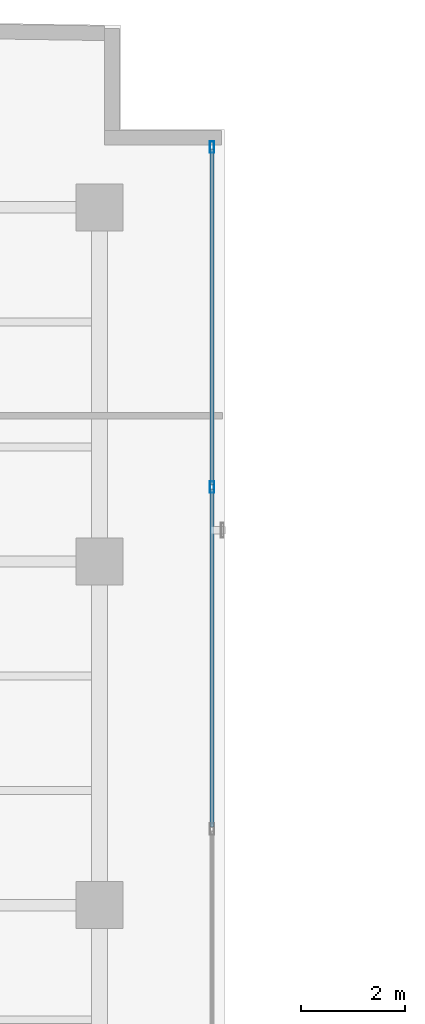
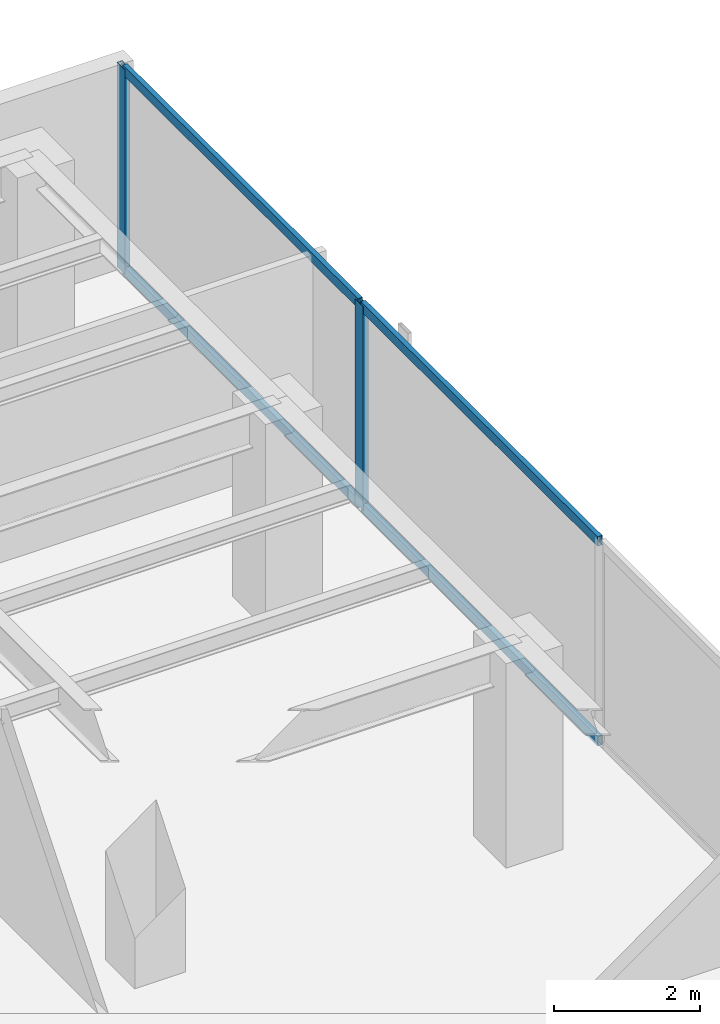
# One storey, part 14 of 23: 6 members, 1 element without a shape of its own.
"""IFC4 building model written with IfcOpenShell, lengths in metres."""

from ifc_helpers import new_model, si_unit, direction, frame, origin, origin_with_axes, origin_2d, place, context, subcontext, project, spatial, hollow_rectangle, extrude, source, transform, mapped, material, layer, layer_set, material_profile, profile_set, type_object, element, aggregate, save


model = new_model("IFC4")

# Units and contexts
model_context = context("Model", 3, precision=1e-05, world=origin(), true_north=direction((0.0, 1.0)))
body_context = subcontext(model_context, "Body", "Model", "MODEL_VIEW")
ifc_project = project(units=[si_unit("LENGTHUNIT", "METRE"), si_unit("AREAUNIT", "SQUARE_METRE"), si_unit("VOLUMEUNIT", "CUBIC_METRE"), si_unit("PLANEANGLEUNIT", "RADIAN"), si_unit("MASSUNIT", "GRAM", prefix="KILO")], contexts=[model_context])

# Site, building, storey
site_placement = place(None, origin())
site = spatial("IfcSite", under=ifc_project, at=site_placement, CompositionType="ELEMENT")
building_placement = place(site_placement, origin())
building = spatial("IfcBuilding", under=site, at=building_placement, Name="Kolvaren Waterfront Exchange", CompositionType="ELEMENT")
storey_placement = place(building_placement, frame((0.0, 0.0, 335.0)))
storey = spatial("IfcBuildingStorey", under=building, at=storey_placement, Name="L86", CompositionType="ELEMENT", Elevation=335.0)

# Curtain wall, members
ifc_material_1 = material(Name="Anodised bronze aluminium 6063-T6", Category="aluminium")
ifc_layer = layer(ifc_material_1, 0.219970703125, Name="Anodised bronze aluminium 6063-T6")
ifc_layer_set = layer_set([ifc_layer], Name="Anodised bronze aluminium 6063-T6")
curtain_wall_type = type_object("IfcCurtainWallType", Name="ARC-CW-SYS1", PredefinedType="USERDEFINED", material=ifc_layer_set)
curtain_wall_placement = place(storey_placement, origin())
curtain_wall = element("IfcCurtainWall", 1, at=curtain_wall_placement, inside=storey, type_object=curtain_wall_type, Name="L86 stick curtain wall CW1 (CW-L86-NE)", ObjectType="STICK CURTAIN WALL", PredefinedType="USERDEFINED")
ifc_material_2 = material(Name="Anodised aluminium 6063-T6", Category="aluminium")
ifc_material_profile_1 = material_profile(ifc_material_2, hollow_rectangle(XDim=0.080078125, YDim=0.219970703125, WallThickness=0.0048828125, at=origin_2d()), Name="ALU-MUL-220x80x5")
ifc_profile_set_1 = profile_set([ifc_material_profile_1], Name="Anodised aluminium 6063-T6")
member_type_1 = type_object("IfcMemberType", Name="ARC-CWM-220", PredefinedType="MULLION", material=ifc_profile_set_1)
shared_shape_1 = source(origin_with_axes(), body_context, "Body", "SweptSolid", [
    extrude(hollow_rectangle(XDim=0.080078125, YDim=0.219970703125, WallThickness=0.0048828125, at=origin_2d()), origin(), (0.0, 0.0, 1.0), 3.419921875),
])
member_1_placement = place(storey_placement, frame((20.9599609375, 39.22998046875, 0.0), z_axis=(0.0, 0.0, 1.0), x_axis=(-1.0, 0.0, 0.0)))
member_1 = element("IfcMember", 2, at=member_1_placement, type_object=member_type_1, Name="CW1 mullion 3", PredefinedType="MULLION", context=body_context, shape_type="MappedRepresentation", body=[
    mapped(shared_shape_1, transform((0.0, 0.0, 0.0), x_axis=(1.0, 0.0, 0.0), y_axis=(0.0, 1.0, 0.0), z_axis=(0.0, 0.0, 1.0), scale=1.0)),
])
member_2_placement = place(storey_placement, frame((20.9599609375, 45.760009765625, 0.0), z_axis=(0.0, 0.0, 1.0), x_axis=(-1.0, 0.0, 0.0)))
member_2 = element("IfcMember", 3, at=member_2_placement, type_object=member_type_1, Name="CW1 mullion 4", PredefinedType="MULLION", context=body_context, shape_type="MappedRepresentation", body=[
    mapped(shared_shape_1, transform((0.0, 0.0, 0.0), x_axis=(1.0, 0.0, 0.0), y_axis=(0.0, 1.0, 0.0), z_axis=(0.0, 0.0, 1.0), scale=1.0)),
])
ifc_material_profile_2 = material_profile(ifc_material_2, hollow_rectangle(XDim=0.074951171875, YDim=0.159912109375, WallThickness=0.00439453125, at=origin_2d()), Name="ALU-TRN-160x75x4.5")
ifc_profile_set_2 = profile_set([ifc_material_profile_2], Name="Anodised aluminium 6063-T6")
member_type_2 = type_object("IfcMemberType", Name="ARC-CWT-160", PredefinedType="USERDEFINED", material=ifc_profile_set_2)
shared_shape_2 = source(origin_with_axes(), body_context, "Body", "SweptSolid", [
    extrude(hollow_rectangle(XDim=0.074951171875, YDim=0.159912109375, WallThickness=0.00439453125, at=origin_2d()), origin(), (0.0, 0.0, 1.0), 6.489990234375),
])
member_3_placement = place(storey_placement, frame((20.9599609375, 32.699951171875, 0.03759765625), z_axis=(0.0, 1.0, 0.0), x_axis=(-1.0, 0.0, 0.0)))
member_3 = element("IfcMember", 4, at=member_3_placement, type_object=member_type_2, Name="CW1 transom 2.1", ObjectType="TRANSOM", PredefinedType="USERDEFINED", context=body_context, shape_type="MappedRepresentation", body=[
    mapped(shared_shape_2, transform((0.0, 0.0, 0.0), x_axis=(1.0, 0.0, 0.0), y_axis=(0.0, 1.0, 0.0), z_axis=(0.0, 0.0, 1.0), scale=1.0)),
])
member_4_placement = place(storey_placement, frame((20.9599609375, 32.699951171875, 3.382568359375), z_axis=(0.0, 1.0, 0.0), x_axis=(-1.0, 0.0, 0.0)))
member_4 = element("IfcMember", 5, at=member_4_placement, type_object=member_type_2, Name="CW1 transom 2.2", ObjectType="TRANSOM", PredefinedType="USERDEFINED", context=body_context, shape_type="MappedRepresentation", body=[
    mapped(shared_shape_2, transform((0.0, 0.0, 0.0), x_axis=(1.0, 0.0, 0.0), y_axis=(0.0, 1.0, 0.0), z_axis=(0.0, 0.0, 1.0), scale=1.0)),
])
shared_shape_3 = source(origin_with_axes(), body_context, "Body", "SweptSolid", [
    extrude(hollow_rectangle(XDim=0.074951171875, YDim=0.159912109375, WallThickness=0.00439453125, at=origin_2d()), origin(), (0.0, 0.0, 1.0), 6.449951171875),
])
member_5_placement = place(storey_placement, frame((20.9599609375, 39.27001953125, 0.03759765625), z_axis=(0.0, 1.0, 0.0), x_axis=(-1.0, 0.0, 0.0)))
member_5 = element("IfcMember", 6, at=member_5_placement, type_object=member_type_2, Name="CW1 transom 3.1", ObjectType="TRANSOM", PredefinedType="USERDEFINED", context=body_context, shape_type="MappedRepresentation", body=[
    mapped(shared_shape_3, transform((0.0, 0.0, 0.0), x_axis=(1.0, 0.0, 0.0), y_axis=(0.0, 1.0, 0.0), z_axis=(0.0, 0.0, 1.0), scale=1.0)),
])
member_6_placement = place(storey_placement, frame((20.9599609375, 39.27001953125, 3.382568359375), z_axis=(0.0, 1.0, 0.0), x_axis=(-1.0, 0.0, 0.0)))
member_6 = element("IfcMember", 7, at=member_6_placement, type_object=member_type_2, Name="CW1 transom 3.2", ObjectType="TRANSOM", PredefinedType="USERDEFINED", context=body_context, shape_type="MappedRepresentation", body=[
    mapped(shared_shape_3, transform((0.0, 0.0, 0.0), x_axis=(1.0, 0.0, 0.0), y_axis=(0.0, 1.0, 0.0), z_axis=(0.0, 0.0, 1.0), scale=1.0)),
])
aggregate(curtain_wall, [member_1, member_2, member_3, member_4, member_5, member_6])

save(model, "model.ifc")
